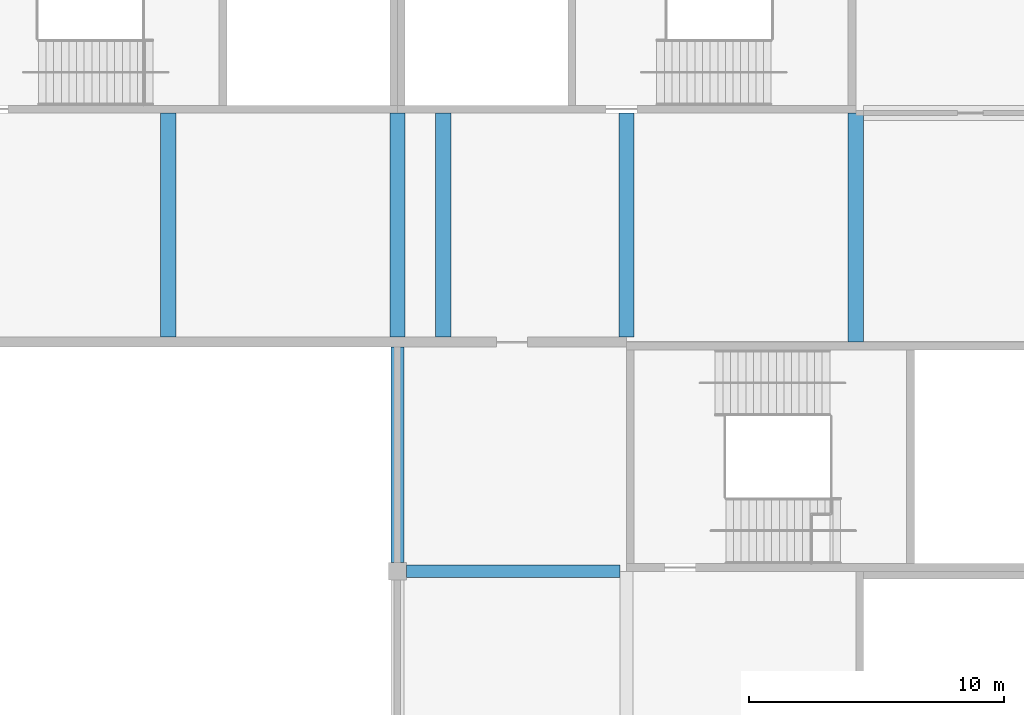
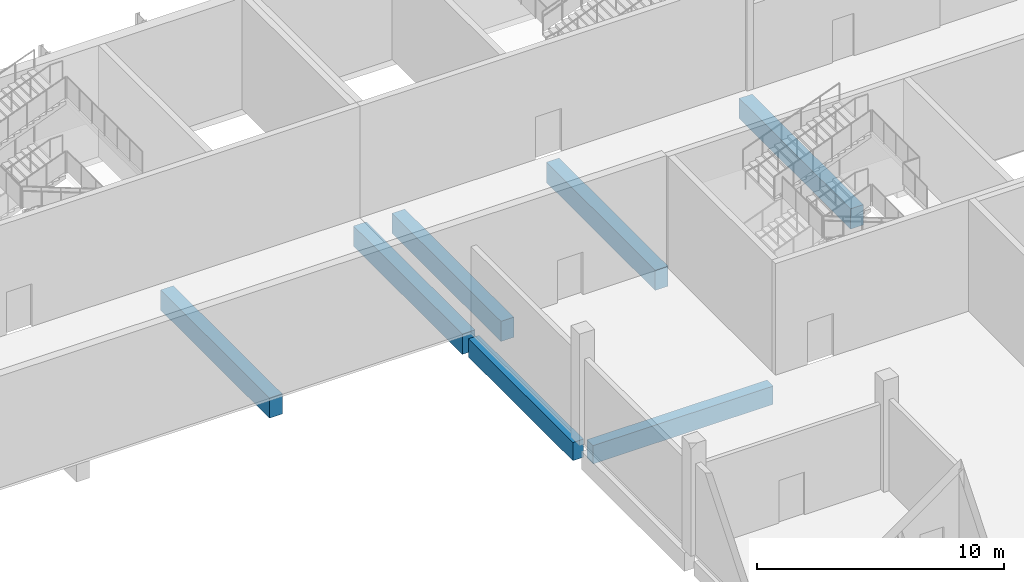
# One storey, part 20 of 84: 7 beams.
"""IFC4 building model written with IfcOpenShell, lengths in metres."""

import ifcopenshell
import ifcopenshell.guid

model = None  # the IFC model being written
_history = None  # IfcOwnerHistory: only IFC2X3 demands one
_inside = {}  # id of a spatial element -> (the spatial element, [elements in it])
_under = {}  # id of a project, library or spatial element -> (it, [spatial elements below it])
_declared = {}  # id of a project -> (the project, [libraries it declares])
_typed = {}  # id of a type object -> (the type object, [elements of that type])
_made_of = {}  # id of a material, layer set ... -> (it, [elements and type objects made of it])


def new_model(schema):
    """Start an empty IFC model of exactly this schema.

    Asked for "IFC4X3", IfcOpenShell would pick the latest addendum, in which some entities
    have other attributes; the version numbers below select the first issue.
    IFC2X3 requires an IfcOwnerHistory on every rooted entity: one is made here for all.
    """
    global model, _history
    if schema == "IFC4X3":
        model = ifcopenshell.file(schema_version=(4, 3, 0, 0))
    else:
        model = ifcopenshell.file(schema=schema)
    _inside.clear()
    _under.clear()
    _declared.clear()
    _typed.clear()
    _made_of.clear()
    _history = None
    if model.schema == "IFC2X3":
        org = make("IfcOrganization", Name="unknown")
        user = make(
            "IfcPersonAndOrganization",
            ThePerson=make("IfcPerson", FamilyName="unknown"),
            TheOrganization=org,
        )
        app = make(
            "IfcApplication",
            ApplicationDeveloper=org,
            Version="unknown",
            ApplicationFullName="unknown",
            ApplicationIdentifier="unknown",
        )
        _history = make(
            "IfcOwnerHistory",
            OwningUser=user,
            OwningApplication=app,
            ChangeAction="ADDED",
            CreationDate=0,
        )
    return model


def make(cls, **values):
    """One entity of the class cls with the attributes given. An attribute that is None is left unset."""
    return model.create_entity(
        cls, **{name: value for name, value in values.items() if value is not None}
    )


def rooted(cls, **values):
    """An entity with a GlobalId (a new one), such as an element, a storey or a relation."""
    return make(cls, GlobalId=ifcopenshell.guid.new(), OwnerHistory=_history, **values)


def si_unit(unit_type, name, prefix=None):
    """IfcSIUnit, for example si_unit("LENGTHUNIT", "METRE", prefix="MILLI")."""
    return make("IfcSIUnit", UnitType=unit_type, Prefix=prefix, Name=name)


def assignment(units):
    """IfcUnitAssignment: the units of a project."""
    return None if units is None else make("IfcUnitAssignment", Units=units)


def point(xyz):
    """IfcCartesianPoint."""
    return None if xyz is None else make("IfcCartesianPoint", Coordinates=xyz)


def direction(xyz):
    """IfcDirection."""
    return None if xyz is None else make("IfcDirection", DirectionRatios=xyz)


def frame(location, z_axis=None, x_axis=None):
    """IfcAxis2Placement3D, a coordinate frame: its origin and axes. An axis left out is left unset."""
    return make(
        "IfcAxis2Placement3D",
        Location=point(location),
        Axis=direction(z_axis),
        RefDirection=direction(x_axis),
    )


def frame_2d(location, x_axis=None):
    """IfcAxis2Placement2D, a coordinate frame in the plane: its origin and x axis."""
    return make(
        "IfcAxis2Placement2D", Location=point(location), RefDirection=direction(x_axis)
    )


def origin():
    """The frame at (0, 0, 0) with its axes left unset."""
    return frame((0.0, 0.0, 0.0))


def origin_2d():
    """The frame at (0, 0) in the plane with its x axis left unset."""
    return frame_2d((0.0, 0.0))


def place(relative_to, where):
    """IfcLocalPlacement: puts the frame where relative to a parent placement (None: the world)."""
    return make(
        "IfcLocalPlacement", PlacementRelTo=relative_to, RelativePlacement=where
    )


def context(
    kind, dimensions, precision=None, world=None, true_north=None, identifier=None
):
    """IfcGeometricRepresentationContext, for example the 3D "Model" context."""
    return make(
        "IfcGeometricRepresentationContext",
        ContextIdentifier=identifier,
        ContextType=kind,
        CoordinateSpaceDimension=dimensions,
        Precision=precision,
        WorldCoordinateSystem=world,
        TrueNorth=true_north,
    )


def subcontext(parent, identifier, kind, view, scale=None):
    """IfcGeometricRepresentationSubContext, for example "Body" below "Model"."""
    return make(
        "IfcGeometricRepresentationSubContext",
        ContextIdentifier=identifier,
        ContextType=kind,
        ParentContext=parent,
        TargetScale=scale,
        TargetView=view,
    )


def project(units=None, contexts=None):
    """IfcProject with its units and contexts."""
    return rooted(
        "IfcProject",
        Name="project",
        RepresentationContexts=contexts,
        UnitsInContext=assignment(units),
    )


def spatial(cls, under=None, at=None, **own):
    """A site, building, storey or space (cls), placed at a placement, below another one or the project."""
    s = rooted(cls, ObjectPlacement=at, **own)
    if under is not None:
        _under.setdefault(under.id(), (under, []))[1].append(s)
    return s


def profile(cls, at=None, kind="AREA", **sizes):
    """A parametric profile (cls). Its sizes go by their IFC names, for example OverallWidth=200.0."""
    return make(cls, ProfileType=kind, Position=at, **sizes)


def rectangle(**sizes):
    """IfcRectangleProfileDef."""
    return profile("IfcRectangleProfileDef", **sizes)


def extrude(swept, where, along, depth):
    """IfcExtrudedAreaSolid: the profile swept, set in the frame where, extruded along a direction by depth."""
    return make(
        "IfcExtrudedAreaSolid",
        SweptArea=swept,
        Position=where,
        ExtrudedDirection=direction(along),
        Depth=depth,
    )


def shape(context_of_items, identifier, shape_type, items):
    """IfcShapeRepresentation: the items that make up one representation, for example the "Body"."""
    return make(
        "IfcShapeRepresentation",
        ContextOfItems=context_of_items,
        RepresentationIdentifier=identifier,
        RepresentationType=shape_type,
        Items=items,
    )


def material(Name=None, Category=None):
    """IfcMaterial."""
    return make("IfcMaterial", Name=Name, Category=Category)


def material_profile(
    of_material, cross_section, Name=None, Category=None, Priority=None
):
    """IfcMaterialProfile: a cross section and its material."""
    return make(
        "IfcMaterialProfile",
        Name=Name,
        Material=of_material,
        Profile=cross_section,
        Priority=Priority,
        Category=Category,
    )


def profile_set(profiles, Name=None, composite=None):
    """IfcMaterialProfileSet."""
    return make(
        "IfcMaterialProfileSet",
        Name=Name,
        MaterialProfiles=profiles,
        CompositeProfile=composite,
    )


def made_of(thing, what):
    """Note that an element or type object is made of a material, layer set ...; save() writes the relation."""
    if what is not None:
        _made_of.setdefault(what.id(), (what, []))[1].append(thing)
    return thing


def type_object(cls, material=None, **own):
    """A type object (cls), such as IfcWallType, which elements share."""
    return made_of(rooted(cls, **own), material)


def element(
    cls,
    number,
    at=None,
    inside=None,
    cuts=None,
    type_object=None,
    material=None,
    context=None,
    identifier="Body",
    shape_type=None,
    held_by="IfcProductDefinitionShape",
    body=None,
    shapes=None,
    **own,
):
    """One element of the class cls, such as IfcWall. Its Tag is "e" and its number.

    at: its placement. inside: the storey or other place that contains it. cuts: it is an
    opening in that element (IfcRelVoidsElement). A single representation is given by context,
    identifier, shape_type and body (its items); several are given by shapes. held_by: the class
    of the entity that holds the representations. save() writes the other relations.
    """
    e = rooted(cls, Tag="e%d" % number, ObjectPlacement=at, **own)
    if body is not None:
        shapes = [shape(context, identifier, shape_type, body)]
    if shapes is not None:
        e.Representation = make(held_by, Representations=shapes)
    if inside is not None:
        _inside.setdefault(inside.id(), (inside, []))[1].append(e)
    if cuts is not None:
        rooted(
            "IfcRelVoidsElement", RelatingBuildingElement=cuts, RelatedOpeningElement=e
        )
    if type_object is not None:
        _typed.setdefault(type_object.id(), (type_object, []))[1].append(e)
    return made_of(e, material)


def aggregate(whole, parts):
    """IfcRelAggregates: a whole, such as a stair, and the parts it consists of."""
    return rooted("IfcRelAggregates", RelatingObject=whole, RelatedObjects=parts)


def save(model, path):
    """Write the relations noted so far, then the file.

    IfcRelAggregates (storeys below a building ...), IfcRelContainedInSpatialStructure (elements
    in a storey), IfcRelDefinesByType, IfcRelAssociatesMaterial and IfcRelDeclares: one each for
    every whole, place, type object, material and project.
    """
    for whole, parts in _under.values():
        aggregate(whole, parts)
    for where, things in _inside.values():
        rooted(
            "IfcRelContainedInSpatialStructure",
            RelatedElements=things,
            RelatingStructure=where,
        )
    for kind, things in _typed.values():
        rooted("IfcRelDefinesByType", RelatedObjects=things, RelatingType=kind)
    for what, things in _made_of.values():
        rooted("IfcRelAssociatesMaterial", RelatedObjects=things, RelatingMaterial=what)
    for by, libraries in _declared.values():
        rooted("IfcRelDeclares", RelatingContext=by, RelatedDefinitions=libraries)
    model.write(path)


model = new_model("IFC4")

# Units and contexts
model_context = context("Model", 3, precision=1e-05, world=origin(), true_north=direction((0.0, 1.0)))
body_context = subcontext(model_context, "Body", "Model", "MODEL_VIEW")
ifc_project = project(units=[si_unit("LENGTHUNIT", "METRE"), si_unit("AREAUNIT", "SQUARE_METRE"), si_unit("VOLUMEUNIT", "CUBIC_METRE"), si_unit("PLANEANGLEUNIT", "RADIAN"), si_unit("MASSUNIT", "GRAM", prefix="KILO")], contexts=[model_context])

# Site, building, storey
site_placement = place(None, origin())
site = spatial("IfcSite", under=ifc_project, at=site_placement, CompositionType="ELEMENT")
building_placement = place(site_placement, origin())
building = spatial("IfcBuilding", under=site, at=building_placement, Name="Silverbay Arena", CompositionType="ELEMENT")
storey_placement = place(building_placement, frame((0.0, 0.0, 28.0)))
storey = spatial("IfcBuildingStorey", under=building, at=storey_placement, Name="L04", CompositionType="ELEMENT", Elevation=28.0)

# Beams
ifc_material_1 = material(Name="Concrete Grade C45", Category="concrete")
ifc_material_profile_1 = material_profile(ifc_material_1, rectangle(XDim=0.5, YDim=0.89990234375, at=origin_2d()), Name="RC 500x900")
ifc_profile_set_1 = profile_set([ifc_material_profile_1], Name="Concrete Grade C45")
beam_type_1 = type_object("IfcBeamType", Name="RC beam 500x900", PredefinedType="BEAM", material=ifc_profile_set_1)
beam_1_placement = place(storey_placement, frame((162.35009765625, 117.0, -0.75), z_axis=(1.0, 0.0, 0.0), x_axis=(0.0, 1.0, 0.0)))
element("IfcBeam", 1, at=beam_1_placement, inside=storey, type_object=beam_type_1, Name="Floor beam L04 060", PredefinedType="BEAM", context=body_context, shape_type="SweptSolid", body=[
    extrude(rectangle(XDim=0.5, YDim=0.89990234375, at=origin_2d()), origin(), (0.0, 0.0, 1.0), 8.39990234375),
])
beam_2_placement = place(storey_placement, frame((162.0, 117.35009765625, -0.75), z_axis=(0.0, 1.0, 0.0), x_axis=(-1.0, 0.0, 0.0)))
element("IfcBeam", 2, at=beam_2_placement, inside=storey, type_object=beam_type_1, Name="Floor beam L04 133", PredefinedType="BEAM", context=body_context, shape_type="SweptSolid", body=[
    extrude(rectangle(XDim=0.5, YDim=0.89990234375, at=origin_2d()), origin(), (0.0, 0.0, 1.0), 8.449951171875),
])
ifc_material_2 = material(Name="Concrete Grade C45", Category="concrete")
ifc_material_profile_2 = material_profile(ifc_material_2, rectangle(XDim=0.60009765625, YDim=1.0, at=origin_2d()), Name="RC 600x1000")
ifc_profile_set_2 = profile_set([ifc_material_profile_2], Name="Concrete Grade C45")
beam_type_2 = type_object("IfcBeamType", Name="RC beam 600x1000", PredefinedType="BEAM", material=ifc_profile_set_2)
for number, where, z_axis, x_axis, name in (
    (3, (153.0, 126.199951171875, -0.800048828125), (0.0, 1.0, 0.0), (-1.0, 0.0, 0.0), "Floor beam L04 126"),
    (4, (162.0, 126.199951171875, -0.800048828125), (0.0, 1.0, 0.0), (-1.0, 0.0, 0.0), "Floor beam L04 134"),
    (5, (163.800048828125, 126.199951171875, -0.800048828125), (0.0, 1.0, 0.0), (-1.0, 0.0, 0.0), "Floor beam L04 136"),
    (6, (171.0, 126.199951171875, -0.800048828125), (0.0, 1.0, 0.0), (-1.0, 0.0, 0.0), "Floor beam L04 142"),
):
    element("IfcBeam", number, at=place(storey_placement, frame(where, z_axis=z_axis, x_axis=x_axis)), inside=storey, type_object=beam_type_2, Name=name, PredefinedType="BEAM", context=body_context, shape_type="SweptSolid", body=[
        extrude(rectangle(XDim=0.60009765625, YDim=1.0, at=origin_2d()), origin(), (0.0, 0.0, 1.0), 8.800048828125),
    ])
beam_3_placement = place(storey_placement, frame((180.0, 126.0, -0.800048828125), z_axis=(0.0, 1.0, 0.0), x_axis=(-1.0, 0.0, 0.0)))
element("IfcBeam", 7, at=beam_3_placement, inside=storey, type_object=beam_type_2, Name="Floor beam L04 144", PredefinedType="BEAM", context=body_context, shape_type="SweptSolid", body=[
    extrude(rectangle(XDim=0.60009765625, YDim=1.0, at=origin_2d()), origin(), (0.0, 0.0, 1.0), 9.0),
])

save(model, "model.ifc")
